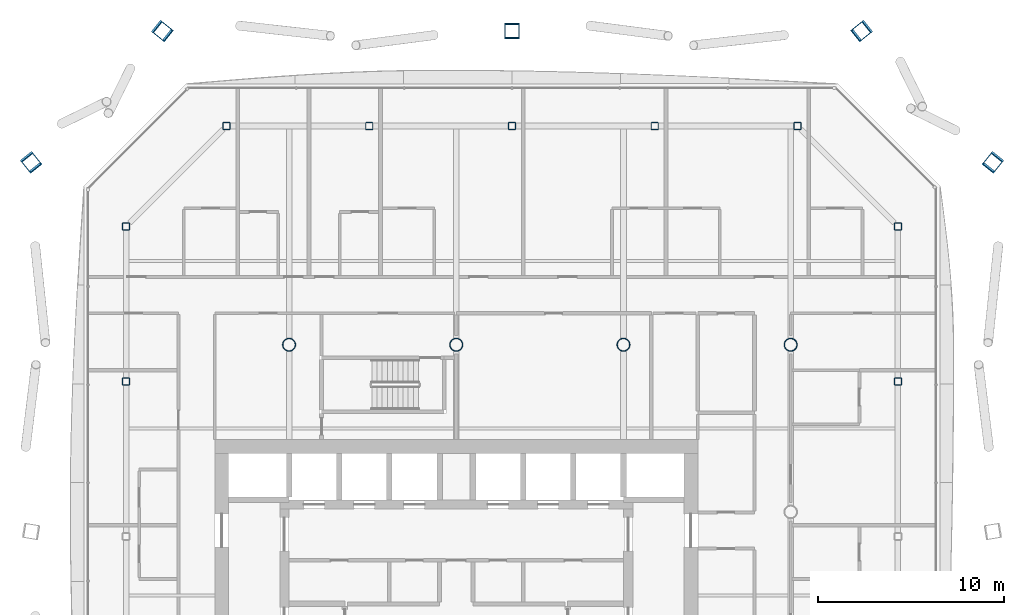
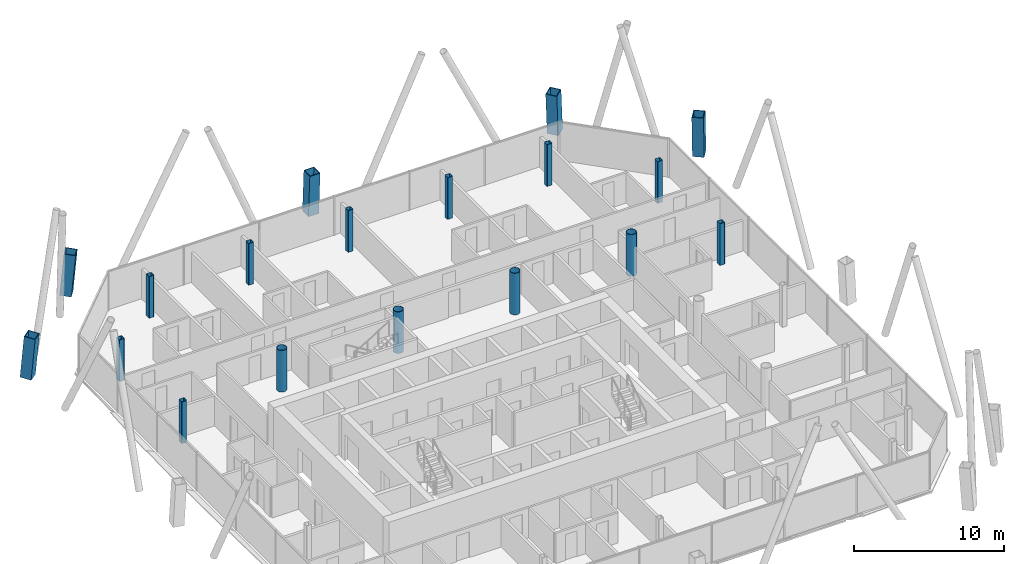
# One storey, part 2 of 23: 18 columns.
"""IFC4 building model written with IfcOpenShell, lengths in metres."""

from ifc_helpers import new_model, si_unit, direction, frame, origin, origin_2d, place, context, subcontext, project, spatial, hollow_rectangle, hollow_circle, extrude, material, material_profile, profile_set, type_object, element, save


model = new_model("IFC4")

# Units and contexts
model_context = context("Model", 3, precision=1e-05, world=origin(), true_north=direction((0.0, 1.0)))
body_context = subcontext(model_context, "Body", "Model", "MODEL_VIEW")
ifc_project = project(units=[si_unit("LENGTHUNIT", "METRE"), si_unit("AREAUNIT", "SQUARE_METRE"), si_unit("VOLUMEUNIT", "CUBIC_METRE"), si_unit("PLANEANGLEUNIT", "RADIAN"), si_unit("MASSUNIT", "GRAM", prefix="KILO")], contexts=[model_context])

# Site, building, storey
site_placement = place(None, origin())
site = spatial("IfcSite", under=ifc_project, at=site_placement, CompositionType="ELEMENT")
building_placement = place(site_placement, origin())
building = spatial("IfcBuilding", under=site, at=building_placement, Name="Tskaro Facet Tower", CompositionType="ELEMENT")
storey_placement = place(building_placement, frame((0.0, 0.0, 131.699951171875)))
storey = spatial("IfcBuildingStorey", under=building, at=storey_placement, Name="L31", CompositionType="ELEMENT", Elevation=131.699951171875)

# Columns
ifc_material_1 = material(Name="Steel S460M", Category="steel")
ifc_material_profile_1 = material_profile(ifc_material_1, hollow_rectangle(XDim=0.800048828125, YDim=0.800048828125, WallThickness=0.050048828125, at=origin_2d()), Name="BOX 800x800x50")
ifc_profile_set_1 = profile_set([ifc_material_profile_1], Name="Steel S460M")
column_type_1 = type_object("IfcColumnType", Name="BOX 800x800x50 mega column", PredefinedType="COLUMN", material=ifc_profile_set_1)
for number, where, z_axis, x_axis, name in (
    (1, (28.9189453125, 18.85791015625, 0.0), (-0.05329974545, -0.066177536296, 0.996383295135), (0.778811034489, -0.627258616967, 0.0), "BOX 800x800x50 MC06/3"),
    (2, (21.85791015625, 25.9189453125, 0.0), (-0.066177536296, -0.05329974545, 0.996383295135), (0.627258616967, -0.778811034489, 0.0), "BOX 800x800x50 MC07/3"),
):
    element("IfcColumn", number, at=place(storey_placement, frame(where, z_axis=z_axis, x_axis=x_axis)), inside=storey, type_object=column_type_1, Name=name, PredefinedType="COLUMN", context=body_context, shape_type="SweptSolid", body=[
        extrude(hollow_rectangle(XDim=0.800048828125, YDim=0.800048828125, WallThickness=0.050048828125, at=origin_2d()), origin(), (0.0, 0.0, 1.0), 3.41259765625),
    ])
column_placement = place(storey_placement, frame((3.0, 25.9189453125, 0.0), z_axis=(0.0, -0.053416842427, 0.998572301311), x_axis=(1.0, 0.0, 0.0)))
element("IfcColumn", 3, at=column_placement, inside=storey, type_object=column_type_1, Name="BOX 800x800x50 MC08/3", PredefinedType="COLUMN", context=body_context, shape_type="SweptSolid", body=[
    extrude(hollow_rectangle(XDim=0.800048828125, YDim=0.800048828125, WallThickness=0.050048828125, at=origin_2d()), origin(), (0.0, 0.0, 1.0), 3.405029296875),
])
for number, where, z_axis, x_axis, name in (
    (4, (-15.85791015625, 25.9189453125, 0.0), (0.066177536296, -0.05329974545, 0.996383295135), (0.627258616967, 0.778811034489, 0.0), "BOX 800x800x50 MC09/3"),
    (5, (-22.9189453125, 18.85791015625, 0.0), (0.05329974545, -0.066177536296, 0.996383295135), (0.778811034489, 0.627258616967, 0.0), "BOX 800x800x50 MC10/3"),
):
    element("IfcColumn", number, at=place(storey_placement, frame(where, z_axis=z_axis, x_axis=x_axis)), inside=storey, type_object=column_type_1, Name=name, PredefinedType="COLUMN", context=body_context, shape_type="SweptSolid", body=[
        extrude(hollow_rectangle(XDim=0.800048828125, YDim=0.800048828125, WallThickness=0.050048828125, at=origin_2d()), origin(), (0.0, 0.0, 1.0), 3.41259765625),
    ])
ifc_material_2 = material(Name="Steel S355J2H", Category="steel")
ifc_material_profile_2 = material_profile(ifc_material_2, hollow_circle(Radius=0.35546875, WallThickness=0.031982421875, at=origin_2d()), Name="CHS 711x32")
ifc_profile_set_2 = profile_set([ifc_material_profile_2], Name="Steel S355J2H")
column_type_2 = type_object("IfcColumnType", Name="CHS 711x32 interior column", PredefinedType="COLUMN", material=ifc_profile_set_2)
for number, where, z_axis, x_axis, name in (
    (6, (-9.0, 9.0, 0.0), (0.0, 0.0, 1.0), (1.0, 0.0, 0.0), "CHS 711x32 C3E/3"),
    (7, (0.0, 9.0, 0.0), (0.0, 0.0, 1.0), (1.0, 0.0, 0.0), "CHS 711x32 C4E/3"),
    (8, (9.0, 9.0, 0.0), (0.0, 0.0, 1.0), (1.0, 0.0, 0.0), "CHS 711x32 C5E/3"),
    (9, (18.0, 9.0, 0.0), (0.0, 0.0, 1.0), (1.0, 0.0, 0.0), "CHS 711x32 C6E/3"),
):
    element("IfcColumn", number, at=place(storey_placement, frame(where, z_axis=z_axis, x_axis=x_axis)), inside=storey, type_object=column_type_2, Name=name, PredefinedType="COLUMN", context=body_context, shape_type="SweptSolid", body=[
        extrude(hollow_circle(Radius=0.35546875, WallThickness=0.031982421875, at=origin_2d()), origin(), (0.0, 0.0, 1.0), 3.400146484375),
    ])
ifc_material_profile_3 = material_profile(ifc_material_2, hollow_rectangle(XDim=0.39990234375, YDim=0.39990234375, WallThickness=0.02001953125, InnerFilletRadius=0.030029296875, OuterFilletRadius=0.050048828125, at=origin_2d()), Name="SHS 400x400x20")
ifc_profile_set_3 = profile_set([ifc_material_profile_3], Name="Steel S355J2H")
column_type_3 = type_object("IfcColumnType", Name="SHS 400x400x20 ring column", PredefinedType="COLUMN", material=ifc_profile_set_3)
for number, where, z_axis, x_axis, name in (
    (10, (23.77392578125, 7.02587890625, 0.0), (0.0, 0.0, 1.0), (1.0, 0.0, 0.0), "SHS 400x400x20 RE-4/3"),
    (11, (23.77392578125, 15.367919921875, 0.0), (0.0, 0.0, 1.0), (1.0, 0.0, 0.0), "SHS 400x400x20 RNE-1/3"),
    (12, (18.367919921875, 20.77392578125, 0.0), (0.0, 0.0, 1.0), (1.0, 0.0, 0.0), "SHS 400x400x20 RN-1/3"),
    (13, (10.68408203125, 20.77392578125, 0.0), (0.0, 0.0, 1.0), (1.0, 0.0, 0.0), "SHS 400x400x20 RN-2/3"),
    (14, (3.0, 20.77392578125, 0.0), (0.0, 0.0, 1.0), (1.0, 0.0, 0.0), "SHS 400x400x20 RN-3/3"),
    (15, (-4.68408203125, 20.77392578125, 0.0), (0.0, 0.0, 1.0), (1.0, 0.0, 0.0), "SHS 400x400x20 RN-4/3"),
    (16, (-12.367919921875, 20.77392578125, 0.0), (0.0, 0.0, 1.0), (1.0, 0.0, 0.0), "SHS 400x400x20 RNW-1/3"),
    (17, (-17.77392578125, 15.367919921875, 0.0), (0.0, 0.0, 1.0), (1.0, 0.0, 0.0), "SHS 400x400x20 RW-1/3"),
    (18, (-17.77392578125, 7.02587890625, 0.0), (0.0, 0.0, 1.0), (1.0, 0.0, 0.0), "SHS 400x400x20 RW-2/3"),
):
    element("IfcColumn", number, at=place(storey_placement, frame(where, z_axis=z_axis, x_axis=x_axis)), inside=storey, type_object=column_type_3, Name=name, PredefinedType="COLUMN", context=body_context, shape_type="SweptSolid", body=[
        extrude(hollow_rectangle(XDim=0.39990234375, YDim=0.39990234375, WallThickness=0.02001953125, InnerFilletRadius=0.030029296875, OuterFilletRadius=0.050048828125, at=origin_2d()), origin(), (0.0, 0.0, 1.0), 3.400146484375),
    ])

save(model, "model.ifc")
